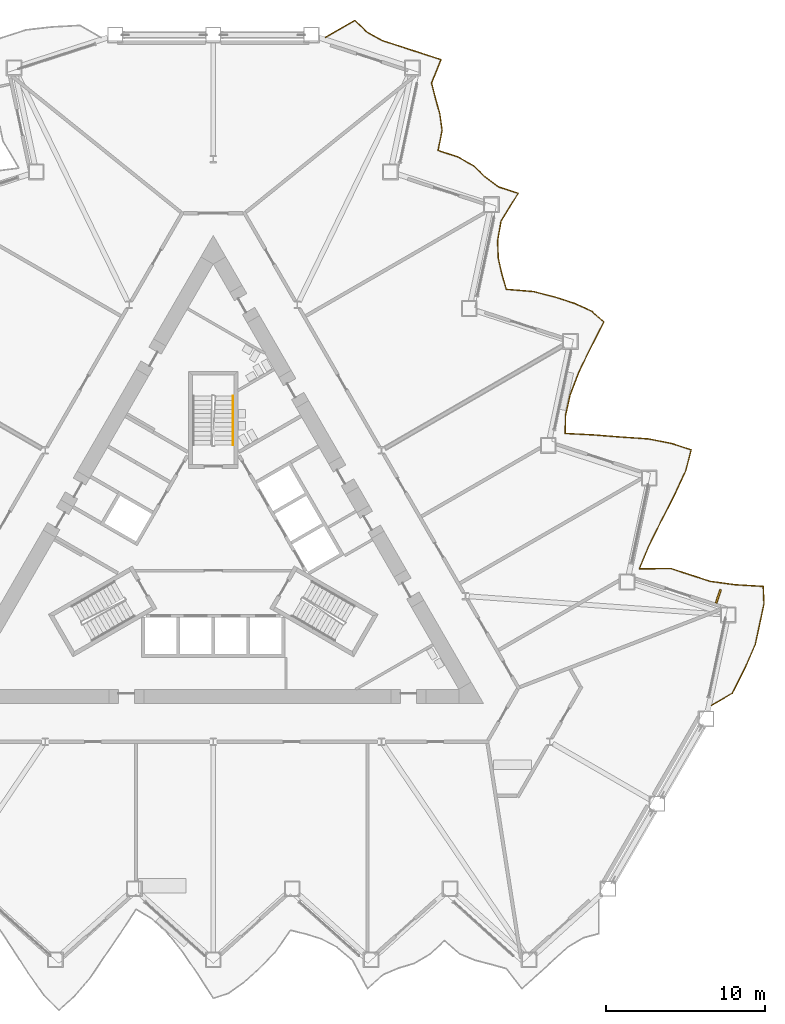
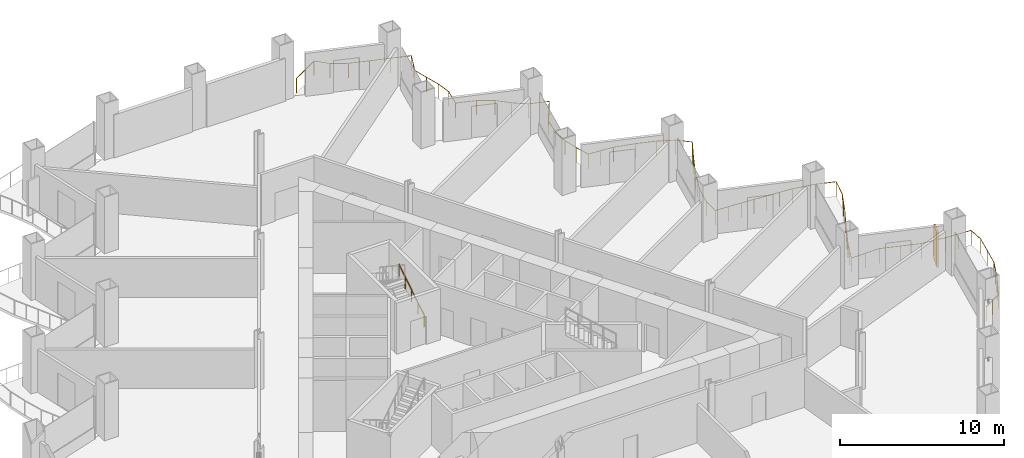
# One storey, part 19 of 21: 2 railings, 1 shading device.
"""IFC4 building model written with IfcOpenShell, lengths in metres."""

import ifcopenshell
import ifcopenshell.guid

model = None  # the IFC model being written
_history = None  # IfcOwnerHistory: only IFC2X3 demands one
_inside = {}  # id of a spatial element -> (the spatial element, [elements in it])
_under = {}  # id of a project, library or spatial element -> (it, [spatial elements below it])
_declared = {}  # id of a project -> (the project, [libraries it declares])
_typed = {}  # id of a type object -> (the type object, [elements of that type])
_made_of = {}  # id of a material, layer set ... -> (it, [elements and type objects made of it])


def new_model(schema):
    """Start an empty IFC model of exactly this schema.

    Asked for "IFC4X3", IfcOpenShell would pick the latest addendum, in which some entities
    have other attributes; the version numbers below select the first issue.
    IFC2X3 requires an IfcOwnerHistory on every rooted entity: one is made here for all.
    """
    global model, _history
    if schema == "IFC4X3":
        model = ifcopenshell.file(schema_version=(4, 3, 0, 0))
    else:
        model = ifcopenshell.file(schema=schema)
    _inside.clear()
    _under.clear()
    _declared.clear()
    _typed.clear()
    _made_of.clear()
    _history = None
    if model.schema == "IFC2X3":
        org = make("IfcOrganization", Name="unknown")
        user = make(
            "IfcPersonAndOrganization",
            ThePerson=make("IfcPerson", FamilyName="unknown"),
            TheOrganization=org,
        )
        app = make(
            "IfcApplication",
            ApplicationDeveloper=org,
            Version="unknown",
            ApplicationFullName="unknown",
            ApplicationIdentifier="unknown",
        )
        _history = make(
            "IfcOwnerHistory",
            OwningUser=user,
            OwningApplication=app,
            ChangeAction="ADDED",
            CreationDate=0,
        )
    return model


def make(cls, **values):
    """One entity of the class cls with the attributes given. An attribute that is None is left unset."""
    return model.create_entity(
        cls, **{name: value for name, value in values.items() if value is not None}
    )


def rooted(cls, **values):
    """An entity with a GlobalId (a new one), such as an element, a storey or a relation."""
    return make(cls, GlobalId=ifcopenshell.guid.new(), OwnerHistory=_history, **values)


def si_unit(unit_type, name, prefix=None):
    """IfcSIUnit, for example si_unit("LENGTHUNIT", "METRE", prefix="MILLI")."""
    return make("IfcSIUnit", UnitType=unit_type, Prefix=prefix, Name=name)


def assignment(units):
    """IfcUnitAssignment: the units of a project."""
    return None if units is None else make("IfcUnitAssignment", Units=units)


def point(xyz):
    """IfcCartesianPoint."""
    return None if xyz is None else make("IfcCartesianPoint", Coordinates=xyz)


def direction(xyz):
    """IfcDirection."""
    return None if xyz is None else make("IfcDirection", DirectionRatios=xyz)


def frame(location, z_axis=None, x_axis=None):
    """IfcAxis2Placement3D, a coordinate frame: its origin and axes. An axis left out is left unset."""
    return make(
        "IfcAxis2Placement3D",
        Location=point(location),
        Axis=direction(z_axis),
        RefDirection=direction(x_axis),
    )


def frame_2d(location, x_axis=None):
    """IfcAxis2Placement2D, a coordinate frame in the plane: its origin and x axis."""
    return make(
        "IfcAxis2Placement2D", Location=point(location), RefDirection=direction(x_axis)
    )


def origin():
    """The frame at (0, 0, 0) with its axes left unset."""
    return frame((0.0, 0.0, 0.0))


def origin_2d():
    """The frame at (0, 0) in the plane with its x axis left unset."""
    return frame_2d((0.0, 0.0))


def place(relative_to, where):
    """IfcLocalPlacement: puts the frame where relative to a parent placement (None: the world)."""
    return make(
        "IfcLocalPlacement", PlacementRelTo=relative_to, RelativePlacement=where
    )


def context(
    kind, dimensions, precision=None, world=None, true_north=None, identifier=None
):
    """IfcGeometricRepresentationContext, for example the 3D "Model" context."""
    return make(
        "IfcGeometricRepresentationContext",
        ContextIdentifier=identifier,
        ContextType=kind,
        CoordinateSpaceDimension=dimensions,
        Precision=precision,
        WorldCoordinateSystem=world,
        TrueNorth=true_north,
    )


def subcontext(parent, identifier, kind, view, scale=None):
    """IfcGeometricRepresentationSubContext, for example "Body" below "Model"."""
    return make(
        "IfcGeometricRepresentationSubContext",
        ContextIdentifier=identifier,
        ContextType=kind,
        ParentContext=parent,
        TargetScale=scale,
        TargetView=view,
    )


def project(units=None, contexts=None):
    """IfcProject with its units and contexts."""
    return rooted(
        "IfcProject",
        Name="project",
        RepresentationContexts=contexts,
        UnitsInContext=assignment(units),
    )


def spatial(cls, under=None, at=None, **own):
    """A site, building, storey or space (cls), placed at a placement, below another one or the project."""
    s = rooted(cls, ObjectPlacement=at, **own)
    if under is not None:
        _under.setdefault(under.id(), (under, []))[1].append(s)
    return s


def profile(cls, at=None, kind="AREA", **sizes):
    """A parametric profile (cls). Its sizes go by their IFC names, for example OverallWidth=200.0."""
    return make(cls, ProfileType=kind, Position=at, **sizes)


def rectangle(**sizes):
    """IfcRectangleProfileDef."""
    return profile("IfcRectangleProfileDef", **sizes)


def circle(**sizes):
    """IfcCircleProfileDef."""
    return profile("IfcCircleProfileDef", **sizes)


def extrude(swept, where, along, depth):
    """IfcExtrudedAreaSolid: the profile swept, set in the frame where, extruded along a direction by depth."""
    return make(
        "IfcExtrudedAreaSolid",
        SweptArea=swept,
        Position=where,
        ExtrudedDirection=direction(along),
        Depth=depth,
    )


def shape(context_of_items, identifier, shape_type, items):
    """IfcShapeRepresentation: the items that make up one representation, for example the "Body"."""
    return make(
        "IfcShapeRepresentation",
        ContextOfItems=context_of_items,
        RepresentationIdentifier=identifier,
        RepresentationType=shape_type,
        Items=items,
    )


def material(Name=None, Category=None):
    """IfcMaterial."""
    return make("IfcMaterial", Name=Name, Category=Category)


def layer(
    of_material, thickness, ventilated=None, Name=None, Category=None, Priority=None
):
    """IfcMaterialLayer: one layer of a wall or slab, of a material (None: an air gap)."""
    return make(
        "IfcMaterialLayer",
        Material=of_material,
        LayerThickness=thickness,
        IsVentilated=ventilated,
        Name=Name,
        Category=Category,
        Priority=Priority,
    )


def layer_set(layers, Name=None):
    """IfcMaterialLayerSet."""
    return make("IfcMaterialLayerSet", MaterialLayers=layers, LayerSetName=Name)


def made_of(thing, what):
    """Note that an element or type object is made of a material, layer set ...; save() writes the relation."""
    if what is not None:
        _made_of.setdefault(what.id(), (what, []))[1].append(thing)
    return thing


def type_object(cls, material=None, **own):
    """A type object (cls), such as IfcWallType, which elements share."""
    return made_of(rooted(cls, **own), material)


def element(
    cls,
    number,
    at=None,
    inside=None,
    cuts=None,
    type_object=None,
    material=None,
    context=None,
    identifier="Body",
    shape_type=None,
    held_by="IfcProductDefinitionShape",
    body=None,
    shapes=None,
    **own,
):
    """One element of the class cls, such as IfcWall. Its Tag is "e" and its number.

    at: its placement. inside: the storey or other place that contains it. cuts: it is an
    opening in that element (IfcRelVoidsElement). A single representation is given by context,
    identifier, shape_type and body (its items); several are given by shapes. held_by: the class
    of the entity that holds the representations. save() writes the other relations.
    """
    e = rooted(cls, Tag="e%d" % number, ObjectPlacement=at, **own)
    if body is not None:
        shapes = [shape(context, identifier, shape_type, body)]
    if shapes is not None:
        e.Representation = make(held_by, Representations=shapes)
    if inside is not None:
        _inside.setdefault(inside.id(), (inside, []))[1].append(e)
    if cuts is not None:
        rooted(
            "IfcRelVoidsElement", RelatingBuildingElement=cuts, RelatedOpeningElement=e
        )
    if type_object is not None:
        _typed.setdefault(type_object.id(), (type_object, []))[1].append(e)
    return made_of(e, material)


def aggregate(whole, parts):
    """IfcRelAggregates: a whole, such as a stair, and the parts it consists of."""
    return rooted("IfcRelAggregates", RelatingObject=whole, RelatedObjects=parts)


def save(model, path):
    """Write the relations noted so far, then the file.

    IfcRelAggregates (storeys below a building ...), IfcRelContainedInSpatialStructure (elements
    in a storey), IfcRelDefinesByType, IfcRelAssociatesMaterial and IfcRelDeclares: one each for
    every whole, place, type object, material and project.
    """
    for whole, parts in _under.values():
        aggregate(whole, parts)
    for where, things in _inside.values():
        rooted(
            "IfcRelContainedInSpatialStructure",
            RelatedElements=things,
            RelatingStructure=where,
        )
    for kind, things in _typed.values():
        rooted("IfcRelDefinesByType", RelatedObjects=things, RelatingType=kind)
    for what, things in _made_of.values():
        rooted("IfcRelAssociatesMaterial", RelatedObjects=things, RelatingMaterial=what)
    for by, libraries in _declared.values():
        rooted("IfcRelDeclares", RelatingContext=by, RelatedDefinitions=libraries)
    model.write(path)


model = new_model("IFC4")

# Units and contexts
model_context = context("Model", 3, precision=1e-05, world=origin(), true_north=direction((0.0, 1.0)))
body_context = subcontext(model_context, "Body", "Model", "MODEL_VIEW")
ifc_project = project(units=[si_unit("LENGTHUNIT", "METRE"), si_unit("AREAUNIT", "SQUARE_METRE"), si_unit("VOLUMEUNIT", "CUBIC_METRE"), si_unit("PLANEANGLEUNIT", "RADIAN"), si_unit("MASSUNIT", "GRAM", prefix="KILO")], contexts=[model_context])

# Site, building, storey
site_placement = place(None, origin())
site = spatial("IfcSite", under=ifc_project, at=site_placement, CompositionType="ELEMENT")
building_placement = place(site_placement, origin())
building = spatial("IfcBuilding", under=site, at=building_placement, Name="Cormorant Prow Tower", CompositionType="ELEMENT")
storey_placement = place(building_placement, frame((0.0, 0.0, 51.0)))
storey = spatial("IfcBuildingStorey", under=building, at=storey_placement, Name="L10", CompositionType="ELEMENT", Elevation=51.0)

# Railings
ifc_material_1 = material(Name="Aluminium 6063-T6", Category="aluminium")
railing_type_1 = type_object("IfcRailingType", Name="Balcony guard 1100", PredefinedType="GUARDRAIL", material=ifc_material_1)
railing_1_placement = place(storey_placement, frame((31.3291015625, -9.928955078125, 0.0)))
element("IfcRailing", 1, at=railing_1_placement, inside=storey, type_object=railing_type_1, Name="Balcony guard ENE", PredefinedType="GUARDRAIL", context=body_context, shape_type="SweptSolid", body=[
    extrude(circle(Radius=0.02392578125, at=origin_2d()), frame((0.0, 0.0, 1.076171875), z_axis=(0.866030456496, 0.499991248344, 0.0), x_axis=(-0.499991248344, 0.866030456496, 0.0)), (0.0, 0.0, 1.0), 1.52001953125),
    extrude(circle(Radius=0.02392578125, at=origin_2d()), frame((1.31640625, 0.760009765625, 1.076171875), z_axis=(0.451937076677, 0.892049818522, 0.0), x_axis=(-0.892049818522, 0.451937076677, 0.0)), (0.0, 0.0, 1.0), 1.775634765625),
    extrude(circle(Radius=0.02392578125, at=origin_2d()), frame((2.118896484375, 2.343994140625, 1.076171875), z_axis=(0.39848525464, 0.917174738986, 0.0), x_axis=(-0.917174738986, 0.39848525464, 0.0)), (0.0, 0.0, 1.0), 1.630859375),
    extrude(circle(Radius=0.02392578125, at=origin_2d()), frame((2.768798828125, 3.83984375, 1.076171875), z_axis=(0.207894531291, 0.978151247946, 0.0), x_axis=(-0.978151247946, 0.207894531291, 0.0)), (0.0, 0.0, 1.0), 1.305908203125),
    extrude(circle(Radius=0.02392578125, at=origin_2d()), frame((3.040283203125, 5.1171875, 1.076171875), z_axis=(0.207856520253, 0.978159325973, 0.0), x_axis=(-0.978159325973, 0.207856520253, 0.0)), (0.0, 0.0, 1.0), 1.30615234375),
    extrude(circle(Radius=0.02392578125, at=origin_2d()), frame((3.311767578125, 6.394775390625, 1.076171875), z_axis=(-0.042827380547, 0.999082486823, 0.0), x_axis=(-0.999082486823, -0.042827380547, 0.0)), (0.0, 0.0, 1.0), 1.094482421875),
    extrude(circle(Radius=0.02392578125, at=origin_2d()), frame((3.264892578125, 7.48828125, 1.076171875), z_axis=(-0.998305217064, 0.058195305509, 0.0), x_axis=(-0.058195305509, -0.998305217064, 0.0)), (0.0, 0.0, 1.0), 1.76611328125),
    extrude(circle(Radius=0.02392578125, at=origin_2d()), frame((1.501708984375, 7.591064453125, 1.076171875), z_axis=(-0.990928266356, 0.134391855916, 0.0), x_axis=(-0.134391855916, -0.990928266356, 0.0)), (0.0, 0.0, 1.0), 1.5859375),
    extrude(circle(Radius=0.02392578125, at=origin_2d()), frame((-0.06982421875, 7.80419921875, 1.076171875), z_axis=(-0.951067031183, 0.308984631004, 0.0), x_axis=(-0.308984631004, -0.951067031183, 0.0)), (0.0, 0.0, 1.0), 1.30615234375),
    extrude(circle(Radius=0.02392578125, at=origin_2d()), frame((-1.31201171875, 8.207763671875, 1.076171875), z_axis=(-0.951012089022, 0.309153694033, 0.0), x_axis=(-0.309153694033, -0.951012089022, 0.0)), (0.0, 0.0, 1.0), 1.30615234375),
    extrude(circle(Radius=0.02392578125, at=origin_2d()), frame((-2.55419921875, 8.611572265625, 1.076171875), z_axis=(-0.999956902036, -0.009284076214, 0.0), x_axis=(0.009284076214, -0.999956902036, 0.0)), (0.0, 0.0, 1.0), 1.97216796875),
    extrude(circle(Radius=0.02392578125, at=origin_2d()), frame((-4.5263671875, 8.59326171875, 1.076171875), z_axis=(0.384029357558, 0.923320882756, 0.0), x_axis=(-0.923320882756, 0.384029357558, 0.0)), (0.0, 0.0, 1.0), 1.59765625),
    extrude(circle(Radius=0.02392578125, at=origin_2d()), frame((-3.912841796875, 10.068359375, 1.076171875), z_axis=(0.444874286248, 0.895593026679, 0.0), x_axis=(-0.895593026679, 0.444874286248, 0.0)), (0.0, 0.0, 1.0), 1.75439453125),
    extrude(circle(Radius=0.02392578125, at=origin_2d()), frame((-3.13232421875, 11.6396484375, 1.076171875), z_axis=(0.456252917829, 0.889850141862, 0.0), x_axis=(-0.889850141862, 0.456252917829, 0.0)), (0.0, 0.0, 1.0), 1.788818359375),
    extrude(circle(Radius=0.02392578125, at=origin_2d()), frame((-2.316162109375, 13.2314453125, 1.076171875), z_axis=(0.421357614178, 0.906894569933, 0.0), x_axis=(-0.906894569933, 0.421357614178, 0.0)), (0.0, 0.0, 1.0), 1.68896484375),
    extrude(circle(Radius=0.02392578125, at=origin_2d()), frame((-1.6044921875, 14.76318359375, 1.076171875), z_axis=(0.247192643153, 0.968966355025, 0.0), x_axis=(-0.968966355025, 0.247192643153, 0.0)), (0.0, 0.0, 1.0), 1.35595703125),
    extrude(circle(Radius=0.02392578125, at=origin_2d()), frame((-1.269287109375, 16.0771484375, 1.076171875), z_axis=(-0.951067031183, 0.308984631004, 0.0), x_axis=(-0.308984631004, -0.951067031183, 0.0)), (0.0, 0.0, 1.0), 1.30615234375),
    extrude(circle(Radius=0.02392578125, at=origin_2d()), frame((-2.511474609375, 16.480712890625, 1.076171875), z_axis=(-0.9812990528, 0.192489399639, 0.0), x_axis=(-0.192489399639, -0.9812990528, 0.0)), (0.0, 0.0, 1.0), 1.476318359375),
    extrude(circle(Radius=0.02392578125, at=origin_2d()), frame((-3.960205078125, 16.764892578125, 1.076171875), z_axis=(-0.99769363246, 0.067877947443, 0.0), x_axis=(-0.067877947443, -0.99769363246, 0.0)), (0.0, 0.0, 1.0), 1.74072265625),
    extrude(circle(Radius=0.02392578125, at=origin_2d()), frame((-5.697021484375, 16.883056640625, 1.076171875), z_axis=(-0.996974392807, 0.077730689486, 0.0), x_axis=(-0.077730689486, -0.996974392807, 0.0)), (0.0, 0.0, 1.0), 1.71484375),
    extrude(circle(Radius=0.02392578125, at=origin_2d()), frame((-7.40673828125, 17.016357421875, 1.076171875), z_axis=(-0.998683894035, 0.051288203268, 0.0), x_axis=(-0.051288203268, -0.998683894035, 0.0)), (0.0, 0.0, 1.0), 1.78515625),
    extrude(circle(Radius=0.02392578125, at=origin_2d()), frame((-9.189453125, 17.10791015625, 1.076171875), z_axis=(0.014901153141, 0.999888971654, 0.0), x_axis=(-0.999888971654, 0.014901153141, 0.0)), (0.0, 0.0, 1.0), 1.130615234375),
    extrude(circle(Radius=0.02392578125, at=origin_2d()), frame((-9.172607421875, 18.23828125, 1.076171875), z_axis=(0.218732722516, 0.975784810345, 0.0), x_axis=(-0.975784810345, 0.218732722516, 0.0)), (0.0, 0.0, 1.0), 1.3193359375),
    extrude(circle(Radius=0.02392578125, at=origin_2d()), frame((-8.884033203125, 19.525634765625, 1.076171875), z_axis=(0.359561509634, 0.933121385882, 0.0), x_axis=(-0.933121385882, 0.359561509634, 0.0)), (0.0, 0.0, 1.0), 1.544677734375),
    extrude(circle(Radius=0.02392578125, at=origin_2d()), frame((-8.32861328125, 20.967041015625, 1.076171875), z_axis=(0.434658027233, 0.900595580359, 0.0), x_axis=(-0.900595580359, 0.434658027233, 0.0)), (0.0, 0.0, 1.0), 1.724853515625),
    extrude(circle(Radius=0.02392578125, at=origin_2d()), frame((-7.578857421875, 22.5205078125, 1.076171875), z_axis=(0.457584866633, 0.889165951793, 0.0), x_axis=(-0.889165951793, 0.457584866633, 0.0)), (0.0, 0.0, 1.0), 1.793212890625),
    extrude(circle(Radius=0.02392578125, at=origin_2d()), frame((-6.75830078125, 24.114990234375, 1.076171875), z_axis=(-0.74665768623, 0.66520846326, 0.0), x_axis=(-0.66520846326, -0.74665768623, 0.0)), (0.0, 0.0, 1.0), 1.022216796875),
    extrude(circle(Radius=0.02392578125, at=origin_2d()), frame((-7.521484375, 24.794921875, 1.076171875), z_axis=(-0.909867877783, 0.414898113974, 0.0), x_axis=(-0.414898113974, -0.909867877783, 0.0)), (0.0, 0.0, 1.0), 1.192138671875),
    extrude(circle(Radius=0.02392578125, at=origin_2d()), frame((-8.606201171875, 25.28955078125, 1.076171875), z_axis=(-0.951104117502, 0.308870454514, 0.0), x_axis=(-0.308870454514, -0.951104117502, 0.0)), (0.0, 0.0, 1.0), 1.305908203125),
    extrude(circle(Radius=0.02392578125, at=origin_2d()), frame((-9.84814453125, 25.69287109375, 1.076171875), z_axis=(-0.969321725621, 0.245795427619, 0.0), x_axis=(-0.245795427619, -0.969321725621, 0.0)), (0.0, 0.0, 1.0), 1.3916015625),
    extrude(circle(Radius=0.02392578125, at=origin_2d()), frame((-11.197021484375, 26.034912109375, 1.076171875), z_axis=(-0.996719078187, 0.080938737196, 0.0), x_axis=(-0.080938737196, -0.996719078187, 0.0)), (0.0, 0.0, 1.0), 1.707275390625),
    extrude(circle(Radius=0.02392578125, at=origin_2d()), frame((-12.898681640625, 26.173095703125, 1.076171875), z_axis=(-0.276623125557, 0.960978483842, 0.0), x_axis=(-0.960978483842, -0.276623125557, 0.0)), (0.0, 0.0, 1.0), 1.0),
    extrude(circle(Radius=0.02392578125, at=origin_2d()), frame((-13.17529296875, 27.134033203125, 1.076171875), z_axis=(-0.219752211959, 0.975555721289, 0.0), x_axis=(-0.975555721289, -0.219752211959, 0.0)), (0.0, 0.0, 1.0), 1.0166015625),
    extrude(circle(Radius=0.02392578125, at=origin_2d()), frame((-13.398681640625, 28.125732421875, 1.076171875), z_axis=(-0.03985245054, 0.999205575538, 0.0), x_axis=(-0.999205575538, -0.03985245054, 0.0)), (0.0, 0.0, 1.0), 1.0966796875),
    extrude(circle(Radius=0.02392578125, at=origin_2d()), frame((-13.4423828125, 29.221435546875, 1.076171875), z_axis=(0.172122886005, 0.98507548549, 0.0), x_axis=(-0.98507548549, 0.172122886005, 0.0)), (0.0, 0.0, 1.0), 1.26513671875),
    extrude(circle(Radius=0.02392578125, at=origin_2d()), frame((-13.224609375, 30.4677734375, 1.076171875), z_axis=(0.52663716497, 0.850090169613, 0.0), x_axis=(-0.850090169613, 0.52663716497, 0.0)), (0.0, 0.0, 1.0), 2.05224609375),
    extrude(circle(Radius=0.02392578125, at=origin_2d()), frame((-12.143798828125, 32.21240234375, 1.076171875), z_axis=(-0.951067031183, 0.308984631004, 0.0), x_axis=(-0.308984631004, -0.951067031183, 0.0)), (0.0, 0.0, 1.0), 1.30615234375),
    extrude(circle(Radius=0.02392578125, at=origin_2d()), frame((-13.385986328125, 32.615966796875, 1.076171875), z_axis=(-0.801080678343, 0.598556385636, 0.0), x_axis=(-0.598556385636, -0.801080678343, 0.0)), (0.0, 0.0, 1.0), 1.055908203125),
    extrude(circle(Radius=0.02392578125, at=origin_2d()), frame((-14.23193359375, 33.248046875, 1.076171875), z_axis=(-0.724149407876, 0.689643121529, 0.0), x_axis=(-0.689643121529, -0.724149407876, 0.0)), (0.0, 0.0, 1.0), 1.01171875),
    extrude(circle(Radius=0.02392578125, at=origin_2d()), frame((-14.964599609375, 33.94580078125, 1.076171875), z_axis=(-0.869429020821, 0.494057868832, 0.0), x_axis=(-0.494057868832, -0.869429020821, 0.0)), (0.0, 0.0, 1.0), 1.125244140625),
    extrude(circle(Radius=0.02392578125, at=origin_2d()), frame((-15.94287109375, 34.501708984375, 1.076171875), z_axis=(-0.951067031183, 0.308984631004, 0.0), x_axis=(-0.308984631004, -0.951067031183, 0.0)), (0.0, 0.0, 1.0), 1.30615234375),
    extrude(circle(Radius=0.02392578125, at=origin_2d()), frame((-17.18505859375, 34.9052734375, 1.076171875), z_axis=(0.194842725712, 0.980834497883, 0.0), x_axis=(-0.980834497883, 0.194842725712, 0.0)), (0.0, 0.0, 1.0), 1.29052734375),
    extrude(circle(Radius=0.02392578125, at=origin_2d()), frame((-16.93359375, 36.171142578125, 1.076171875), z_axis=(-0.13926555414, 0.990255070893, 0.0), x_axis=(-0.990255070893, -0.13926555414, 0.0)), (0.0, 0.0, 1.0), 1.046630859375),
    extrude(circle(Radius=0.02392578125, at=origin_2d()), frame((-17.079345703125, 37.20751953125, 1.076171875), z_axis=(-0.266350260628, 0.963876308799, 0.0), x_axis=(-0.963876308799, -0.266350260628, 0.0)), (0.0, 0.0, 1.0), 1.002685546875),
    extrude(circle(Radius=0.02392578125, at=origin_2d()), frame((-17.346435546875, 38.174072265625, 1.076171875), z_axis=(-0.248118837614, 0.968729602325, 0.0), x_axis=(-0.968729602325, -0.248118837614, 0.0)), (0.0, 0.0, 1.0), 1.007568359375),
    extrude(circle(Radius=0.02392578125, at=origin_2d()), frame((-17.596435546875, 39.150146484375, 1.076171875), z_axis=(0.378416940637, 0.925635251619, 0.0), x_axis=(-0.925635251619, 0.378416940637, 0.0)), (0.0, 0.0, 1.0), 1.585205078125),
    extrude(circle(Radius=0.02392578125, at=origin_2d()), frame((-16.99658203125, 40.617431640625, 1.076171875), z_axis=(-0.951049180551, 0.309039570562, 0.0), x_axis=(-0.309039570562, -0.951049180551, 0.0)), (0.0, 0.0, 1.0), 1.305908203125),
    extrude(circle(Radius=0.02392578125, at=origin_2d()), frame((-18.238525390625, 41.02099609375, 1.076171875), z_axis=(-0.951067031183, 0.308984631004, 0.0), x_axis=(-0.308984631004, -0.951067031183, 0.0)), (0.0, 0.0, 1.0), 1.30615234375),
    extrude(circle(Radius=0.02392578125, at=origin_2d()), frame((-19.480712890625, 41.424560546875, 1.076171875), z_axis=(-0.951049180551, 0.309039570562, 0.0), x_axis=(-0.309039570562, -0.951049180551, 0.0)), (0.0, 0.0, 1.0), 1.305908203125),
    extrude(circle(Radius=0.02392578125, at=origin_2d()), frame((-20.72265625, 41.828125, 1.076171875), z_axis=(-0.872520761391, 0.488577036854, 0.0), x_axis=(-0.488577036854, -0.872520761391, 0.0)), (0.0, 0.0, 1.0), 1.12939453125),
    extrude(circle(Radius=0.02392578125, at=origin_2d()), frame((-21.7080078125, 42.3798828125, 1.076171875), z_axis=(-0.706985295616, 0.707228245889, 0.0), x_axis=(-0.707228245889, -0.706985295616, 0.0)), (0.0, 0.0, 1.0), 1.0048828125),
    extrude(circle(Radius=0.02392578125, at=origin_2d()), frame((-22.41845703125, 43.090576171875, 1.076171875), z_axis=(-0.865948903286, -0.500132479346, 0.0), x_axis=(0.500132479346, -0.865948903286, 0.0)), (0.0, 0.0, 1.0), 2.13037109375),
    extrude(circle(Radius=0.02099609375, at=origin_2d()), origin(), (0.0, 0.0, 1.0), 1.052001953125),
    extrude(circle(Radius=0.02099609375, at=origin_2d()), frame((0.658203125, 0.3798828125, 0.0)), (0.0, 0.0, 1.0), 1.052001953125),
    extrude(circle(Radius=0.02099609375, at=origin_2d()), frame((1.31640625, 0.760009765625, 0.0)), (0.0, 0.0, 1.0), 1.052001953125),
    extrude(circle(Radius=0.02099609375, at=origin_2d()), frame((1.7177734375, 1.552001953125, 0.0)), (0.0, 0.0, 1.0), 1.052001953125),
    extrude(circle(Radius=0.02099609375, at=origin_2d()), frame((2.118896484375, 2.343994140625, 0.0)), (0.0, 0.0, 1.0), 1.052001953125),
    extrude(circle(Radius=0.02099609375, at=origin_2d()), frame((2.44384765625, 3.091796875, 0.0)), (0.0, 0.0, 1.0), 1.052001953125),
    extrude(circle(Radius=0.02099609375, at=origin_2d()), frame((2.768798828125, 3.83984375, 0.0)), (0.0, 0.0, 1.0), 1.052001953125),
    extrude(circle(Radius=0.02099609375, at=origin_2d()), frame((3.040283203125, 5.1171875, 0.0)), (0.0, 0.0, 1.0), 1.052001953125),
    extrude(circle(Radius=0.02099609375, at=origin_2d()), frame((3.311767578125, 6.394775390625, 0.0)), (0.0, 0.0, 1.0), 1.052001953125),
    extrude(circle(Radius=0.02099609375, at=origin_2d()), frame((3.264892578125, 7.48828125, 0.0)), (0.0, 0.0, 1.0), 1.052001953125),
    extrude(circle(Radius=0.02099609375, at=origin_2d()), frame((2.38330078125, 7.53955078125, 0.0)), (0.0, 0.0, 1.0), 1.052001953125),
    extrude(circle(Radius=0.02099609375, at=origin_2d()), frame((1.501708984375, 7.591064453125, 0.0)), (0.0, 0.0, 1.0), 1.052001953125),
    extrude(circle(Radius=0.02099609375, at=origin_2d()), frame((0.7158203125, 7.69775390625, 0.0)), (0.0, 0.0, 1.0), 1.052001953125),
    extrude(circle(Radius=0.02099609375, at=origin_2d()), frame((-0.06982421875, 7.80419921875, 0.0)), (0.0, 0.0, 1.0), 1.052001953125),
    extrude(circle(Radius=0.02099609375, at=origin_2d()), frame((-1.31201171875, 8.207763671875, 0.0)), (0.0, 0.0, 1.0), 1.052001953125),
    extrude(circle(Radius=0.02099609375, at=origin_2d()), frame((-2.55419921875, 8.611572265625, 0.0)), (0.0, 0.0, 1.0), 1.052001953125),
    extrude(circle(Radius=0.02099609375, at=origin_2d()), frame((-3.540283203125, 8.6025390625, 0.0)), (0.0, 0.0, 1.0), 1.052001953125),
    extrude(circle(Radius=0.02099609375, at=origin_2d()), frame((-4.5263671875, 8.59326171875, 0.0)), (0.0, 0.0, 1.0), 1.052001953125),
    extrude(circle(Radius=0.02099609375, at=origin_2d()), frame((-4.2197265625, 9.330810546875, 0.0)), (0.0, 0.0, 1.0), 1.052001953125),
    extrude(circle(Radius=0.02099609375, at=origin_2d()), frame((-3.912841796875, 10.068359375, 0.0)), (0.0, 0.0, 1.0), 1.052001953125),
    extrude(circle(Radius=0.02099609375, at=origin_2d()), frame((-3.5224609375, 10.85400390625, 0.0)), (0.0, 0.0, 1.0), 1.052001953125),
    extrude(circle(Radius=0.02099609375, at=origin_2d()), frame((-3.13232421875, 11.6396484375, 0.0)), (0.0, 0.0, 1.0), 1.052001953125),
    extrude(circle(Radius=0.02099609375, at=origin_2d()), frame((-2.72412109375, 12.435546875, 0.0)), (0.0, 0.0, 1.0), 1.052001953125),
    extrude(circle(Radius=0.02099609375, at=origin_2d()), frame((-2.316162109375, 13.2314453125, 0.0)), (0.0, 0.0, 1.0), 1.052001953125),
    extrude(circle(Radius=0.02099609375, at=origin_2d()), frame((-1.96044921875, 13.997314453125, 0.0)), (0.0, 0.0, 1.0), 1.052001953125),
    extrude(circle(Radius=0.02099609375, at=origin_2d()), frame((-1.6044921875, 14.76318359375, 0.0)), (0.0, 0.0, 1.0), 1.052001953125),
    extrude(circle(Radius=0.02099609375, at=origin_2d()), frame((-1.269287109375, 16.0771484375, 0.0)), (0.0, 0.0, 1.0), 1.052001953125),
    extrude(circle(Radius=0.02099609375, at=origin_2d()), frame((-2.511474609375, 16.480712890625, 0.0)), (0.0, 0.0, 1.0), 1.052001953125),
    extrude(circle(Radius=0.02099609375, at=origin_2d()), frame((-3.960205078125, 16.764892578125, 0.0)), (0.0, 0.0, 1.0), 1.052001953125),
    extrude(circle(Radius=0.02099609375, at=origin_2d()), frame((-4.82861328125, 16.823974609375, 0.0)), (0.0, 0.0, 1.0), 1.052001953125),
    extrude(circle(Radius=0.02099609375, at=origin_2d()), frame((-5.697021484375, 16.883056640625, 0.0)), (0.0, 0.0, 1.0), 1.052001953125),
    extrude(circle(Radius=0.02099609375, at=origin_2d()), frame((-6.5517578125, 16.94970703125, 0.0)), (0.0, 0.0, 1.0), 1.052001953125),
    extrude(circle(Radius=0.02099609375, at=origin_2d()), frame((-7.40673828125, 17.016357421875, 0.0)), (0.0, 0.0, 1.0), 1.052001953125),
    extrude(circle(Radius=0.02099609375, at=origin_2d()), frame((-8.298095703125, 17.06201171875, 0.0)), (0.0, 0.0, 1.0), 1.052001953125),
    extrude(circle(Radius=0.02099609375, at=origin_2d()), frame((-9.189453125, 17.10791015625, 0.0)), (0.0, 0.0, 1.0), 1.052001953125),
    extrude(circle(Radius=0.02099609375, at=origin_2d()), frame((-9.172607421875, 18.23828125, 0.0)), (0.0, 0.0, 1.0), 1.052001953125),
    extrude(circle(Radius=0.02099609375, at=origin_2d()), frame((-8.884033203125, 19.525634765625, 0.0)), (0.0, 0.0, 1.0), 1.052001953125),
    extrude(circle(Radius=0.02099609375, at=origin_2d()), frame((-8.6064453125, 20.246337890625, 0.0)), (0.0, 0.0, 1.0), 1.052001953125),
    extrude(circle(Radius=0.02099609375, at=origin_2d()), frame((-8.32861328125, 20.967041015625, 0.0)), (0.0, 0.0, 1.0), 1.052001953125),
    extrude(circle(Radius=0.02099609375, at=origin_2d()), frame((-7.95361328125, 21.74365234375, 0.0)), (0.0, 0.0, 1.0), 1.052001953125),
    extrude(circle(Radius=0.02099609375, at=origin_2d()), frame((-7.578857421875, 22.5205078125, 0.0)), (0.0, 0.0, 1.0), 1.052001953125),
    extrude(circle(Radius=0.02099609375, at=origin_2d()), frame((-7.16845703125, 23.31787109375, 0.0)), (0.0, 0.0, 1.0), 1.052001953125),
    extrude(circle(Radius=0.02099609375, at=origin_2d()), frame((-6.75830078125, 24.114990234375, 0.0)), (0.0, 0.0, 1.0), 1.052001953125),
    extrude(circle(Radius=0.02099609375, at=origin_2d()), frame((-7.521484375, 24.794921875, 0.0)), (0.0, 0.0, 1.0), 1.052001953125),
    extrude(circle(Radius=0.02099609375, at=origin_2d()), frame((-8.606201171875, 25.28955078125, 0.0)), (0.0, 0.0, 1.0), 1.052001953125),
    extrude(circle(Radius=0.02099609375, at=origin_2d()), frame((-9.84814453125, 25.69287109375, 0.0)), (0.0, 0.0, 1.0), 1.052001953125),
    extrude(circle(Radius=0.02099609375, at=origin_2d()), frame((-11.197021484375, 26.034912109375, 0.0)), (0.0, 0.0, 1.0), 1.052001953125),
    extrude(circle(Radius=0.02099609375, at=origin_2d()), frame((-12.0478515625, 26.10400390625, 0.0)), (0.0, 0.0, 1.0), 1.052001953125),
    extrude(circle(Radius=0.02099609375, at=origin_2d()), frame((-12.898681640625, 26.173095703125, 0.0)), (0.0, 0.0, 1.0), 1.052001953125),
    extrude(circle(Radius=0.02099609375, at=origin_2d()), frame((-13.17529296875, 27.134033203125, 0.0)), (0.0, 0.0, 1.0), 1.052001953125),
    extrude(circle(Radius=0.02099609375, at=origin_2d()), frame((-13.398681640625, 28.125732421875, 0.0)), (0.0, 0.0, 1.0), 1.052001953125),
    extrude(circle(Radius=0.02099609375, at=origin_2d()), frame((-13.4423828125, 29.221435546875, 0.0)), (0.0, 0.0, 1.0), 1.052001953125),
    extrude(circle(Radius=0.02099609375, at=origin_2d()), frame((-13.224609375, 30.4677734375, 0.0)), (0.0, 0.0, 1.0), 1.052001953125),
    extrude(circle(Radius=0.02099609375, at=origin_2d()), frame((-12.68408203125, 31.340087890625, 0.0)), (0.0, 0.0, 1.0), 1.052001953125),
    extrude(circle(Radius=0.02099609375, at=origin_2d()), frame((-12.143798828125, 32.21240234375, 0.0)), (0.0, 0.0, 1.0), 1.052001953125),
    extrude(circle(Radius=0.02099609375, at=origin_2d()), frame((-13.385986328125, 32.615966796875, 0.0)), (0.0, 0.0, 1.0), 1.052001953125),
    extrude(circle(Radius=0.02099609375, at=origin_2d()), frame((-14.23193359375, 33.248046875, 0.0)), (0.0, 0.0, 1.0), 1.052001953125),
    extrude(circle(Radius=0.02099609375, at=origin_2d()), frame((-14.964599609375, 33.94580078125, 0.0)), (0.0, 0.0, 1.0), 1.052001953125),
    extrude(circle(Radius=0.02099609375, at=origin_2d()), frame((-15.94287109375, 34.501708984375, 0.0)), (0.0, 0.0, 1.0), 1.052001953125),
    extrude(circle(Radius=0.02099609375, at=origin_2d()), frame((-17.18505859375, 34.9052734375, 0.0)), (0.0, 0.0, 1.0), 1.052001953125),
    extrude(circle(Radius=0.02099609375, at=origin_2d()), frame((-16.93359375, 36.171142578125, 0.0)), (0.0, 0.0, 1.0), 1.052001953125),
    extrude(circle(Radius=0.02099609375, at=origin_2d()), frame((-17.079345703125, 37.20751953125, 0.0)), (0.0, 0.0, 1.0), 1.052001953125),
    extrude(circle(Radius=0.02099609375, at=origin_2d()), frame((-17.346435546875, 38.174072265625, 0.0)), (0.0, 0.0, 1.0), 1.052001953125),
    extrude(circle(Radius=0.02099609375, at=origin_2d()), frame((-17.596435546875, 39.150146484375, 0.0)), (0.0, 0.0, 1.0), 1.052001953125),
    extrude(circle(Radius=0.02099609375, at=origin_2d()), frame((-17.29638671875, 39.8837890625, 0.0)), (0.0, 0.0, 1.0), 1.052001953125),
    extrude(circle(Radius=0.02099609375, at=origin_2d()), frame((-16.99658203125, 40.617431640625, 0.0)), (0.0, 0.0, 1.0), 1.052001953125),
    extrude(circle(Radius=0.02099609375, at=origin_2d()), frame((-18.238525390625, 41.02099609375, 0.0)), (0.0, 0.0, 1.0), 1.052001953125),
    extrude(circle(Radius=0.02099609375, at=origin_2d()), frame((-19.480712890625, 41.424560546875, 0.0)), (0.0, 0.0, 1.0), 1.052001953125),
    extrude(circle(Radius=0.02099609375, at=origin_2d()), frame((-20.72265625, 41.828125, 0.0)), (0.0, 0.0, 1.0), 1.052001953125),
    extrude(circle(Radius=0.02099609375, at=origin_2d()), frame((-21.7080078125, 42.3798828125, 0.0)), (0.0, 0.0, 1.0), 1.052001953125),
    extrude(circle(Radius=0.02099609375, at=origin_2d()), frame((-22.41845703125, 43.090576171875, 0.0)), (0.0, 0.0, 1.0), 1.052001953125),
    extrude(circle(Radius=0.02099609375, at=origin_2d()), frame((-23.3408203125, 42.557861328125, 0.0)), (0.0, 0.0, 1.0), 1.052001953125),
    extrude(circle(Radius=0.02099609375, at=origin_2d()), frame((-24.26318359375, 42.025146484375, 0.0)), (0.0, 0.0, 1.0), 1.052001953125),
])
ifc_material_2 = material(Name="Stainless steel", Category="steel")
railing_type_2 = type_object("IfcRailingType", Name="Stair handrail 900", PredefinedType="HANDRAIL", material=ifc_material_2)
railing_2_placement = place(storey_placement, frame((1.243896484375, 6.455810546875, 0.175048828125)))
element("IfcRailing", 2, at=railing_2_placement, inside=storey, type_object=railing_type_2, Name="L10 ST3 stair handrail 1", PredefinedType="HANDRAIL", context=body_context, shape_type="SweptSolid", body=[
    extrude(circle(Radius=0.02392578125, at=origin_2d()), frame((0.0, 0.0, 0.8759765625), z_axis=(0.0, 0.847998304005, 0.529998940003), x_axis=(-1.0, 0.0, 0.0)), (0.0, 0.0, 1.0), 3.632080078125),
    extrude(circle(Radius=0.02099609375, at=origin_2d()), origin(), (0.0, 0.0, 1.0), 0.851806640625),
    extrude(circle(Radius=0.02099609375, at=origin_2d()), frame((0.0, 0.77001953125, 0.481201171875)), (0.0, 0.0, 1.0), 0.851806640625),
    extrude(circle(Radius=0.02099609375, at=origin_2d()), frame((0.0, 1.5400390625, 0.96240234375)), (0.0, 0.0, 1.0), 0.851806640625),
    extrude(circle(Radius=0.02099609375, at=origin_2d()), frame((0.0, 2.31005859375, 1.44384765625)), (0.0, 0.0, 1.0), 0.851806640625),
    extrude(circle(Radius=0.02099609375, at=origin_2d()), frame((0.0, 3.080078125, 1.925048828125)), (0.0, 0.0, 1.0), 0.851806640625),
])

# Shading device
ifc_material_3 = material(Name="Terracotta", Category="masonry")
ifc_layer = layer(ifc_material_3, 0.1201171875)
ifc_layer_set = layer_set([ifc_layer], Name="Terracotta")
shading_device_type = type_object("IfcShadingDeviceType", Name="Terracotta baguette fin 120x900x2600", PredefinedType="USERDEFINED", material=ifc_layer_set)
shading_device_placement = place(storey_placement, frame((31.77099609375, -3.068115234375, 0.0), z_axis=(0.0, 0.0, 1.0), x_axis=(-0.951056549556, 0.309016892008, 0.0)))
element("IfcShadingDevice", 3, at=shading_device_placement, inside=storey, type_object=shading_device_type, Name="Baguette fin ENE01", ObjectType="BAGUETTE", PredefinedType="USERDEFINED", context=body_context, shape_type="SweptSolid", body=[
    extrude(rectangle(XDim=0.1201171875, YDim=0.89990234375, at=origin_2d()), origin(), (0.0, 0.0, 1.0), 2.60009765625),
])

save(model, "model.ifc")
